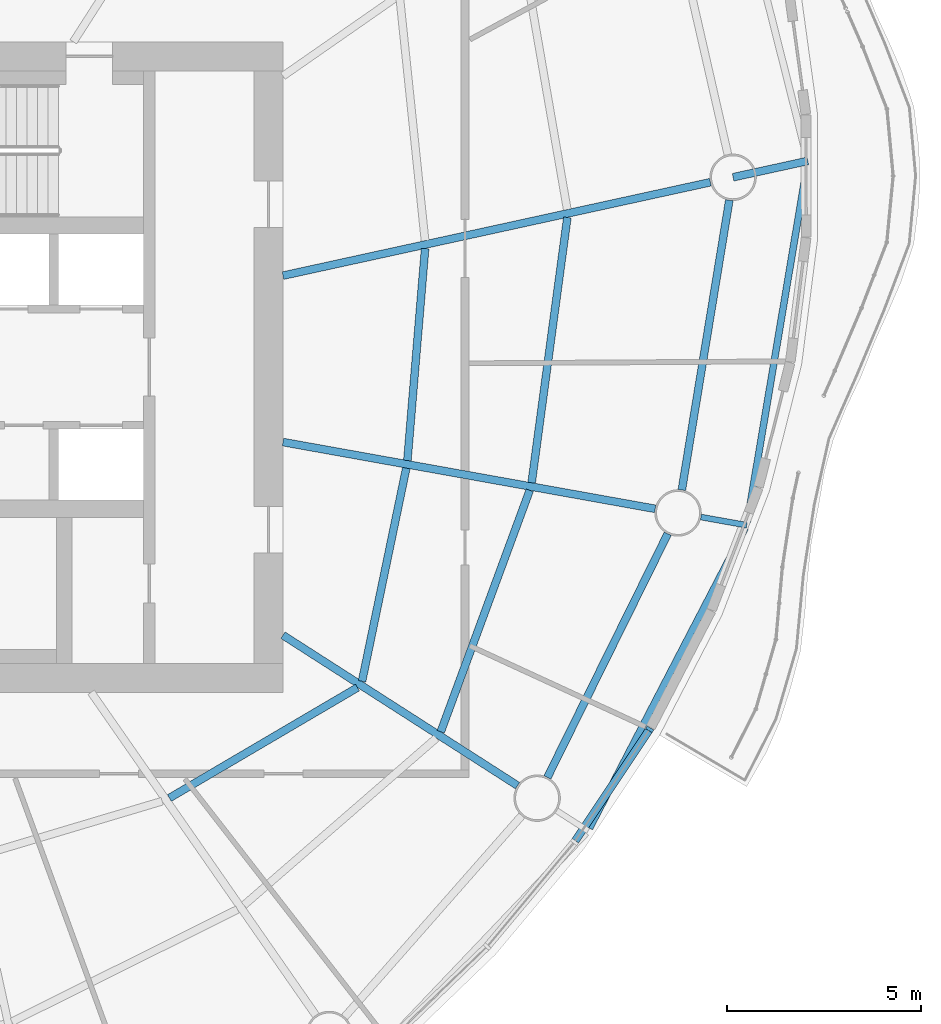
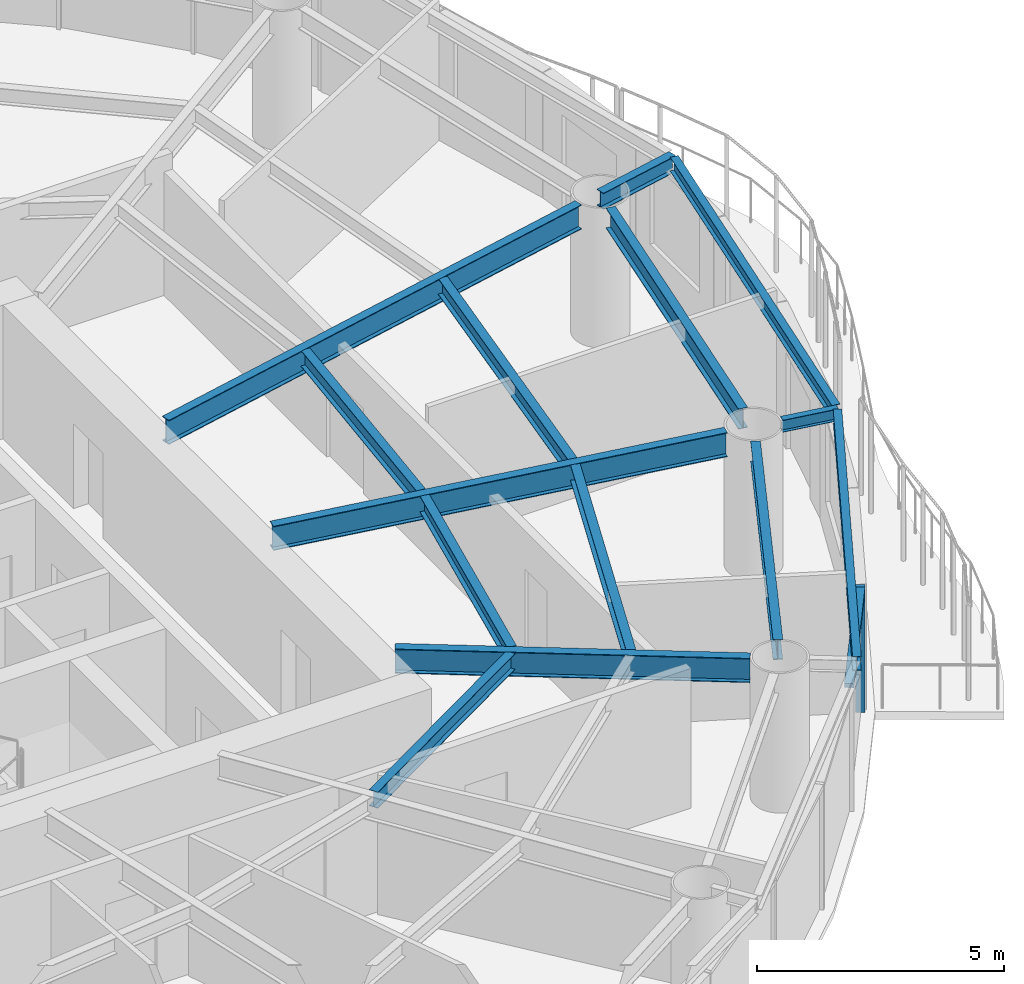
# One storey, part 4 of 15: 14 beams, 2 members, 1 element without a shape of its own.
"""IFC4 building model written with IfcOpenShell, lengths in metres."""

import ifcopenshell
import ifcopenshell.guid

model = None  # the IFC model being written
_history = None  # IfcOwnerHistory: only IFC2X3 demands one
_inside = {}  # id of a spatial element -> (the spatial element, [elements in it])
_under = {}  # id of a project, library or spatial element -> (it, [spatial elements below it])
_declared = {}  # id of a project -> (the project, [libraries it declares])
_typed = {}  # id of a type object -> (the type object, [elements of that type])
_made_of = {}  # id of a material, layer set ... -> (it, [elements and type objects made of it])


def new_model(schema):
    """Start an empty IFC model of exactly this schema.

    Asked for "IFC4X3", IfcOpenShell would pick the latest addendum, in which some entities
    have other attributes; the version numbers below select the first issue.
    IFC2X3 requires an IfcOwnerHistory on every rooted entity: one is made here for all.
    """
    global model, _history
    if schema == "IFC4X3":
        model = ifcopenshell.file(schema_version=(4, 3, 0, 0))
    else:
        model = ifcopenshell.file(schema=schema)
    _inside.clear()
    _under.clear()
    _declared.clear()
    _typed.clear()
    _made_of.clear()
    _history = None
    if model.schema == "IFC2X3":
        org = make("IfcOrganization", Name="unknown")
        user = make(
            "IfcPersonAndOrganization",
            ThePerson=make("IfcPerson", FamilyName="unknown"),
            TheOrganization=org,
        )
        app = make(
            "IfcApplication",
            ApplicationDeveloper=org,
            Version="unknown",
            ApplicationFullName="unknown",
            ApplicationIdentifier="unknown",
        )
        _history = make(
            "IfcOwnerHistory",
            OwningUser=user,
            OwningApplication=app,
            ChangeAction="ADDED",
            CreationDate=0,
        )
    return model


def make(cls, **values):
    """One entity of the class cls with the attributes given. An attribute that is None is left unset."""
    return model.create_entity(
        cls, **{name: value for name, value in values.items() if value is not None}
    )


def rooted(cls, **values):
    """An entity with a GlobalId (a new one), such as an element, a storey or a relation."""
    return make(cls, GlobalId=ifcopenshell.guid.new(), OwnerHistory=_history, **values)


def si_unit(unit_type, name, prefix=None):
    """IfcSIUnit, for example si_unit("LENGTHUNIT", "METRE", prefix="MILLI")."""
    return make("IfcSIUnit", UnitType=unit_type, Prefix=prefix, Name=name)


def assignment(units):
    """IfcUnitAssignment: the units of a project."""
    return None if units is None else make("IfcUnitAssignment", Units=units)


def point(xyz):
    """IfcCartesianPoint."""
    return None if xyz is None else make("IfcCartesianPoint", Coordinates=xyz)


def direction(xyz):
    """IfcDirection."""
    return None if xyz is None else make("IfcDirection", DirectionRatios=xyz)


def frame(location, z_axis=None, x_axis=None):
    """IfcAxis2Placement3D, a coordinate frame: its origin and axes. An axis left out is left unset."""
    return make(
        "IfcAxis2Placement3D",
        Location=point(location),
        Axis=direction(z_axis),
        RefDirection=direction(x_axis),
    )


def frame_2d(location, x_axis=None):
    """IfcAxis2Placement2D, a coordinate frame in the plane: its origin and x axis."""
    return make(
        "IfcAxis2Placement2D", Location=point(location), RefDirection=direction(x_axis)
    )


def origin():
    """The frame at (0, 0, 0) with its axes left unset."""
    return frame((0.0, 0.0, 0.0))


def origin_2d():
    """The frame at (0, 0) in the plane with its x axis left unset."""
    return frame_2d((0.0, 0.0))


def place(relative_to, where):
    """IfcLocalPlacement: puts the frame where relative to a parent placement (None: the world)."""
    return make(
        "IfcLocalPlacement", PlacementRelTo=relative_to, RelativePlacement=where
    )


def context(
    kind, dimensions, precision=None, world=None, true_north=None, identifier=None
):
    """IfcGeometricRepresentationContext, for example the 3D "Model" context."""
    return make(
        "IfcGeometricRepresentationContext",
        ContextIdentifier=identifier,
        ContextType=kind,
        CoordinateSpaceDimension=dimensions,
        Precision=precision,
        WorldCoordinateSystem=world,
        TrueNorth=true_north,
    )


def subcontext(parent, identifier, kind, view, scale=None):
    """IfcGeometricRepresentationSubContext, for example "Body" below "Model"."""
    return make(
        "IfcGeometricRepresentationSubContext",
        ContextIdentifier=identifier,
        ContextType=kind,
        ParentContext=parent,
        TargetScale=scale,
        TargetView=view,
    )


def project(units=None, contexts=None):
    """IfcProject with its units and contexts."""
    return rooted(
        "IfcProject",
        Name="project",
        RepresentationContexts=contexts,
        UnitsInContext=assignment(units),
    )


def spatial(cls, under=None, at=None, **own):
    """A site, building, storey or space (cls), placed at a placement, below another one or the project."""
    s = rooted(cls, ObjectPlacement=at, **own)
    if under is not None:
        _under.setdefault(under.id(), (under, []))[1].append(s)
    return s


def profile(cls, at=None, kind="AREA", **sizes):
    """A parametric profile (cls). Its sizes go by their IFC names, for example OverallWidth=200.0."""
    return make(cls, ProfileType=kind, Position=at, **sizes)


def rectangle(**sizes):
    """IfcRectangleProfileDef."""
    return profile("IfcRectangleProfileDef", **sizes)


def i_section(**sizes):
    """IfcIShapeProfileDef."""
    return profile("IfcIShapeProfileDef", **sizes)


def extrude(swept, where, along, depth):
    """IfcExtrudedAreaSolid: the profile swept, set in the frame where, extruded along a direction by depth."""
    return make(
        "IfcExtrudedAreaSolid",
        SweptArea=swept,
        Position=where,
        ExtrudedDirection=direction(along),
        Depth=depth,
    )


def shape(context_of_items, identifier, shape_type, items):
    """IfcShapeRepresentation: the items that make up one representation, for example the "Body"."""
    return make(
        "IfcShapeRepresentation",
        ContextOfItems=context_of_items,
        RepresentationIdentifier=identifier,
        RepresentationType=shape_type,
        Items=items,
    )


def material(Name=None, Category=None):
    """IfcMaterial."""
    return make("IfcMaterial", Name=Name, Category=Category)


def material_profile(
    of_material, cross_section, Name=None, Category=None, Priority=None
):
    """IfcMaterialProfile: a cross section and its material."""
    return make(
        "IfcMaterialProfile",
        Name=Name,
        Material=of_material,
        Profile=cross_section,
        Priority=Priority,
        Category=Category,
    )


def profile_set(profiles, Name=None, composite=None):
    """IfcMaterialProfileSet."""
    return make(
        "IfcMaterialProfileSet",
        Name=Name,
        MaterialProfiles=profiles,
        CompositeProfile=composite,
    )


def made_of(thing, what):
    """Note that an element or type object is made of a material, layer set ...; save() writes the relation."""
    if what is not None:
        _made_of.setdefault(what.id(), (what, []))[1].append(thing)
    return thing


def type_object(cls, material=None, **own):
    """A type object (cls), such as IfcWallType, which elements share."""
    return made_of(rooted(cls, **own), material)


def element(
    cls,
    number,
    at=None,
    inside=None,
    cuts=None,
    type_object=None,
    material=None,
    context=None,
    identifier="Body",
    shape_type=None,
    held_by="IfcProductDefinitionShape",
    body=None,
    shapes=None,
    **own,
):
    """One element of the class cls, such as IfcWall. Its Tag is "e" and its number.

    at: its placement. inside: the storey or other place that contains it. cuts: it is an
    opening in that element (IfcRelVoidsElement). A single representation is given by context,
    identifier, shape_type and body (its items); several are given by shapes. held_by: the class
    of the entity that holds the representations. save() writes the other relations.
    """
    e = rooted(cls, Tag="e%d" % number, ObjectPlacement=at, **own)
    if body is not None:
        shapes = [shape(context, identifier, shape_type, body)]
    if shapes is not None:
        e.Representation = make(held_by, Representations=shapes)
    if inside is not None:
        _inside.setdefault(inside.id(), (inside, []))[1].append(e)
    if cuts is not None:
        rooted(
            "IfcRelVoidsElement", RelatingBuildingElement=cuts, RelatedOpeningElement=e
        )
    if type_object is not None:
        _typed.setdefault(type_object.id(), (type_object, []))[1].append(e)
    return made_of(e, material)


def aggregate(whole, parts):
    """IfcRelAggregates: a whole, such as a stair, and the parts it consists of."""
    return rooted("IfcRelAggregates", RelatingObject=whole, RelatedObjects=parts)


def save(model, path):
    """Write the relations noted so far, then the file.

    IfcRelAggregates (storeys below a building ...), IfcRelContainedInSpatialStructure (elements
    in a storey), IfcRelDefinesByType, IfcRelAssociatesMaterial and IfcRelDeclares: one each for
    every whole, place, type object, material and project.
    """
    for whole, parts in _under.values():
        aggregate(whole, parts)
    for where, things in _inside.values():
        rooted(
            "IfcRelContainedInSpatialStructure",
            RelatedElements=things,
            RelatingStructure=where,
        )
    for kind, things in _typed.values():
        rooted("IfcRelDefinesByType", RelatedObjects=things, RelatingType=kind)
    for what, things in _made_of.values():
        rooted("IfcRelAssociatesMaterial", RelatedObjects=things, RelatingMaterial=what)
    for by, libraries in _declared.values():
        rooted("IfcRelDeclares", RelatingContext=by, RelatedDefinitions=libraries)
    model.write(path)


model = new_model("IFC4")

# Units and contexts
model_context = context("Model", 3, precision=1e-05, world=origin(), true_north=direction((0.0, 1.0)))
body_context = subcontext(model_context, "Body", "Model", "MODEL_VIEW")
ifc_project = project(units=[si_unit("LENGTHUNIT", "METRE"), si_unit("AREAUNIT", "SQUARE_METRE"), si_unit("VOLUMEUNIT", "CUBIC_METRE"), si_unit("PLANEANGLEUNIT", "RADIAN"), si_unit("MASSUNIT", "GRAM", prefix="KILO")], contexts=[model_context])

# Site, building, storey
site_placement = place(None, origin())
site = spatial("IfcSite", under=ifc_project, at=site_placement, CompositionType="ELEMENT")
building_placement = place(site_placement, origin())
building = spatial("IfcBuilding", under=site, at=building_placement, Name="Vermilion Reach Broadcast Tower", CompositionType="ELEMENT")
storey_placement = place(building_placement, frame((0.0, 0.0, 220.89990234375)))
storey = spatial("IfcBuildingStorey", under=building, at=storey_placement, Name="L54", CompositionType="ELEMENT", Elevation=220.89990234375)

# Beams
ifc_material_1 = material(Name="Steel S355J2", Category="steel")
ifc_material_profile_1 = material_profile(ifc_material_1, i_section(OverallWidth=0.175048828125, OverallDepth=0.35009765625, WebThickness=0.007080078125, FlangeThickness=0.010986328125, at=origin_2d()), Name="S355J2 HN 350x175x7x11")
ifc_profile_set_1 = profile_set([ifc_material_profile_1], Name="Steel S355J2")
beam_type_1 = type_object("IfcBeamType", Name="EB4 HN 350x175x7x11", PredefinedType="BEAM", material=ifc_profile_set_1)
beam_1_placement = place(storey_placement, frame((12.71533203125, -11.912109375, 3.275146484375), z_axis=(0.460485150678, 0.887667407313, 0.0), x_axis=(-0.887667407313, 0.460485150678, 0.0)))
element("IfcBeam", 1, at=beam_1_placement, inside=storey, type_object=beam_type_1, Name="Edge beam EB4-13", PredefinedType="BEAM", context=body_context, shape_type="SweptSolid", body=[
    extrude(i_section(OverallWidth=0.175048828125, OverallDepth=0.35009765625, WebThickness=0.007080078125, FlangeThickness=0.010986328125, at=origin_2d()), origin(), (0.0, 0.0, 1.0), 8.738525390625),
])
beam_2_placement = place(storey_placement, frame((16.787841796875, -4.01171875, 3.275146484375), z_axis=(0.165435437336, 0.986220622413, 0.0), x_axis=(-0.986220622413, 0.165435437336, 0.0)))
element("IfcBeam", 2, at=beam_2_placement, inside=storey, type_object=beam_type_1, Name="Edge beam EB4-14", PredefinedType="BEAM", context=body_context, shape_type="SweptSolid", body=[
    extrude(i_section(OverallWidth=0.175048828125, OverallDepth=0.35009765625, WebThickness=0.007080078125, FlangeThickness=0.010986328125, at=origin_2d()), origin(), (0.0, 0.0, 1.0), 9.357666015625),
])
ifc_material_2 = material(Name="Steel S355J2", Category="steel")
ifc_material_profile_2 = material_profile(ifc_material_2, i_section(OverallWidth=0.199951171875, OverallDepth=0.60009765625, WebThickness=0.010986328125, FlangeThickness=0.01708984375, at=origin_2d()), Name="S355J2 HN 600x200x11x17")
ifc_profile_set_2 = profile_set([ifc_material_profile_2], Name="Steel S355J2")
beam_type_2 = type_object("IfcBeamType", Name="G4 HN 600x200x11x17", PredefinedType="BEAM", material=ifc_profile_set_2)
beam_3_placement = place(storey_placement, frame((4.800048828125, -6.925537109375, 3.150146484375), z_axis=(0.841798504642, -0.539791883584, 0.0), x_axis=(0.539791883584, 0.841798504642, 0.0)))
element("IfcBeam", 3, at=beam_3_placement, inside=storey, type_object=beam_type_2, Name="Girder G4-13", PredefinedType="BEAM", context=body_context, shape_type="SweptSolid", body=[
    extrude(i_section(OverallWidth=0.199951171875, OverallDepth=0.60009765625, WebThickness=0.010986328125, FlangeThickness=0.01708984375, at=origin_2d()), origin(), (0.0, 0.0, 1.0), 7.1962890625),
])
beam_4_placement = place(storey_placement, frame((4.800048828125, -1.9375, 3.150146484375), z_axis=(0.984291153273, -0.176552897422, 0.0), x_axis=(0.176552897422, 0.984291153273, 0.0)))
element("IfcBeam", 4, at=beam_4_placement, inside=storey, type_object=beam_type_2, Name="Girder G4-14", PredefinedType="BEAM", context=body_context, shape_type="SweptSolid", body=[
    extrude(i_section(OverallWidth=0.199951171875, OverallDepth=0.60009765625, WebThickness=0.010986328125, FlangeThickness=0.01708984375, at=origin_2d()), origin(), (0.0, 0.0, 1.0), 9.765380859375),
])
beam_5_placement = place(storey_placement, frame((4.800048828125, 2.360595703125, 3.150146484375), z_axis=(0.976930175286, 0.213558967537, 0.0), x_axis=(-0.213558967537, 0.976930175286, 0.0)))
element("IfcBeam", 5, at=beam_5_placement, inside=storey, type_object=beam_type_2, Name="Girder G4-15", PredefinedType="BEAM", context=body_context, shape_type="SweptSolid", body=[
    extrude(i_section(OverallWidth=0.199951171875, OverallDepth=0.60009765625, WebThickness=0.010986328125, FlangeThickness=0.01708984375, at=origin_2d()), origin(), (0.0, 0.0, 1.0), 11.29833984375),
])
ifc_material_3 = material(Name="Steel S355J2", Category="steel")
ifc_material_profile_3 = material_profile(ifc_material_3, i_section(OverallWidth=0.199951171875, OverallDepth=0.39990234375, WebThickness=0.008056640625, FlangeThickness=0.012939453125, at=origin_2d()), Name="S355J2 HN 400x200x8x13")
ifc_profile_set_3 = profile_set([ifc_material_profile_3], Name="Steel S355J2")
beam_type_3 = type_object("IfcBeamType", Name="GC4 HN 400x200x8x13", PredefinedType="BEAM", material=ifc_profile_set_3)
beam_6_placement = place(storey_placement, frame((16.423828125, 4.9013671875, 3.25), z_axis=(0.976931449906, 0.213553136678, 0.0), x_axis=(-0.213553136678, 0.976931449906, 0.0)))
element("IfcBeam", 6, at=beam_6_placement, inside=storey, type_object=beam_type_3, Name="Cantilever girder GC4-15", PredefinedType="BEAM", context=body_context, shape_type="SweptSolid", body=[
    extrude(i_section(OverallWidth=0.199951171875, OverallDepth=0.39990234375, WebThickness=0.008056640625, FlangeThickness=0.012939453125, at=origin_2d()), origin(), (0.0, 0.0, 1.0), 1.9755859375),
])
ifc_material_4 = material(Name="Steel S355J2", Category="steel")
ifc_material_profile_4 = material_profile(ifc_material_4, i_section(OverallWidth=0.14990234375, OverallDepth=0.300048828125, WebThickness=0.006591796875, FlangeThickness=0.009033203125, at=origin_2d()), Name="S355J2 HN 300x150x6.5x9")
ifc_profile_set_4 = profile_set([ifc_material_profile_4], Name="Steel S355J2")
beam_type_4 = type_object("IfcBeamType", Name="GS4 HN 300x150x6.5x9", PredefinedType="BEAM", material=ifc_profile_set_4)
beam_7_placement = place(storey_placement, frame((15.59326171875, -3.87353515625, 3.300048828125), z_axis=(0.984280267253, -0.176613576759, 0.0), x_axis=(0.176613576759, 0.984280267253, 0.0)))
element("IfcBeam", 7, at=beam_7_placement, inside=storey, type_object=beam_type_4, Name="Cantilever stub GS4-14", PredefinedType="BEAM", context=body_context, shape_type="SweptSolid", body=[
    extrude(i_section(OverallWidth=0.14990234375, OverallDepth=0.300048828125, WebThickness=0.006591796875, FlangeThickness=0.009033203125, at=origin_2d()), origin(), (0.0, 0.0, 1.0), 1.201171875),
])
ifc_material_5 = material(Name="Steel S355J2", Category="steel")
ifc_material_profile_5 = material_profile(ifc_material_5, i_section(OverallWidth=0.199951171875, OverallDepth=0.5, WebThickness=0.010009765625, FlangeThickness=0.01611328125, at=origin_2d()), Name="S355J2 HN 500x200x10x16")
ifc_profile_set_5 = profile_set([ifc_material_profile_5], Name="Steel S355J2")
beam_type_5 = type_object("IfcBeamType", Name="RB4 HN 500x200x10x16", PredefinedType="BEAM", material=ifc_profile_set_5)
beam_8_placement = place(storey_placement, frame((11.628662109375, -10.595947265625, 3.2001953125), z_axis=(0.442977497199, 0.896532730566, 0.0), x_axis=(-0.896532730566, 0.442977497199, 0.0)))
element("IfcBeam", 8, at=beam_8_placement, inside=storey, type_object=beam_type_5, Name="Ring beam RB4-13", PredefinedType="BEAM", context=body_context, shape_type="SweptSolid", body=[
    extrude(i_section(OverallWidth=0.199951171875, OverallDepth=0.5, WebThickness=0.010009765625, FlangeThickness=0.01611328125, at=origin_2d()), origin(), (0.0, 0.0, 1.0), 7.0166015625),
])
beam_9_placement = place(storey_placement, frame((15.099609375, -3.175537109375, 3.2001953125), z_axis=(0.161778110263, 0.986827159659, 0.0), x_axis=(-0.986827159659, 0.161778110263, 0.0)))
element("IfcBeam", 9, at=beam_9_placement, inside=storey, type_object=beam_type_5, Name="Ring beam RB4-14", PredefinedType="BEAM", context=body_context, shape_type="SweptSolid", body=[
    extrude(i_section(OverallWidth=0.199951171875, OverallDepth=0.5, WebThickness=0.010009765625, FlangeThickness=0.01611328125, at=origin_2d()), origin(), (0.0, 0.0, 1.0), 7.584716796875),
])
ifc_material_6 = material(Name="Steel S355J2", Category="steel")
ifc_material_profile_6 = material_profile(ifc_material_6, i_section(OverallWidth=0.199951171875, OverallDepth=0.39990234375, WebThickness=0.008056640625, FlangeThickness=0.012939453125, at=origin_2d()), Name="S355J2 HN 400x200x8x13")
ifc_profile_set_6 = profile_set([ifc_material_profile_6], Name="Steel S355J2")
beam_type_6 = type_object("IfcBeamType", Name="SB4 HN 400x200x8x13", PredefinedType="BEAM", material=ifc_profile_set_6)
beam_10_placement = place(storey_placement, frame((1.866455078125, -11.130615234375, 3.25), z_axis=(0.862172572268, 0.506614701356, 0.0), x_axis=(-0.506614701356, 0.862172572268, 0.0)))
element("IfcBeam", 10, at=beam_10_placement, inside=storey, type_object=beam_type_6, Name="Secondary beam SB4-12-1", PredefinedType="BEAM", context=body_context, shape_type="SweptSolid", body=[
    extrude(i_section(OverallWidth=0.199951171875, OverallDepth=0.39990234375, WebThickness=0.008056640625, FlangeThickness=0.012939453125, at=origin_2d()), origin(), (0.0, 0.0, 1.0), 5.632568359375),
])
beam_11_placement = place(storey_placement, frame((6.841064453125, -8.115478515625, 3.25), z_axis=(0.20320860258, 0.979135467562, 0.0), x_axis=(-0.979135467562, 0.20320860258, 0.0)))
element("IfcBeam", 11, at=beam_11_placement, inside=storey, type_object=beam_type_6, Name="Secondary beam SB4-13-1", PredefinedType="BEAM", context=body_context, shape_type="SweptSolid", body=[
    extrude(i_section(OverallWidth=0.199951171875, OverallDepth=0.39990234375, WebThickness=0.008056640625, FlangeThickness=0.012939453125, at=origin_2d()), origin(), (0.0, 0.0, 1.0), 5.622802734375),
])
beam_12_placement = place(storey_placement, frame((8.8740234375, -9.419189453125, 3.25), z_axis=(0.345833008621, 0.938296078084, 0.0), x_axis=(-0.938296078084, 0.345833008621, 0.0)))
element("IfcBeam", 12, at=beam_12_placement, inside=storey, type_object=beam_type_6, Name="Secondary beam SB4-13-2", PredefinedType="BEAM", context=body_context, shape_type="SweptSolid", body=[
    extrude(i_section(OverallWidth=0.199951171875, OverallDepth=0.39990234375, WebThickness=0.008056640625, FlangeThickness=0.012939453125, at=origin_2d()), origin(), (0.0, 0.0, 1.0), 6.647216796875),
])
beam_13_placement = place(storey_placement, frame((8.012451171875, -2.412109375, 3.25), z_axis=(0.08339866655, 0.996516262997, 0.0), x_axis=(-0.996516262997, 0.08339866655, 0.0)))
element("IfcBeam", 13, at=beam_13_placement, inside=storey, type_object=beam_type_6, Name="Secondary beam SB4-14-1", PredefinedType="BEAM", context=body_context, shape_type="SweptSolid", body=[
    extrude(i_section(OverallWidth=0.199951171875, OverallDepth=0.39990234375, WebThickness=0.008056640625, FlangeThickness=0.012939453125, at=origin_2d()), origin(), (0.0, 0.0, 1.0), 5.49169921875),
])
beam_14_placement = place(storey_placement, frame((11.221435546875, -2.98779296875, 3.25), z_axis=(0.133486718782, 0.991050602093, 0.0), x_axis=(-0.991050602093, 0.133486718782, 0.0)))
element("IfcBeam", 14, at=beam_14_placement, inside=storey, type_object=beam_type_6, Name="Secondary beam SB4-14-2", PredefinedType="BEAM", context=body_context, shape_type="SweptSolid", body=[
    extrude(i_section(OverallWidth=0.199951171875, OverallDepth=0.39990234375, WebThickness=0.008056640625, FlangeThickness=0.012939453125, at=origin_2d()), origin(), (0.0, 0.0, 1.0), 6.913330078125),
])

# Curtain wall, members
ifc_material_7 = material(Name="Low-e laminated clear glass in aluminium frame", Category="aluminium")
curtain_wall_type = type_object("IfcCurtainWallType", Name="Slot curtain wall", PredefinedType="NOTDEFINED", material=ifc_material_7)
curtain_wall_placement = place(storey_placement, origin())
curtain_wall = element("IfcCurtainWall", 15, at=curtain_wall_placement, inside=storey, type_object=curtain_wall_type, Name="Slot curtain wall L54 37", PredefinedType="NOTDEFINED")
ifc_material_8 = material(Name="Anodised aluminium", Category="aluminium")
ifc_material_profile_7 = material_profile(ifc_material_8, rectangle(XDim=0.199951171875, YDim=0.080078125, at=origin_2d()), Name="Slot mullion 80 x 200")
ifc_profile_set_7 = profile_set([ifc_material_profile_7], Name="Anodised aluminium")
member_type_1 = type_object("IfcMemberType", Name="Slot mullion 80 x 200", PredefinedType="MULLION", material=ifc_profile_set_7)
member_1_placement = place(storey_placement, frame((14.268798828125, -9.355224609375, 0.0), z_axis=(0.0, 0.0, 1.0), x_axis=(-0.861106014794, 0.508425443193, 0.0)))
member_1 = element("IfcMember", 16, at=member_1_placement, type_object=member_type_1, Name="Slot mullion L54 38", PredefinedType="MULLION", context=body_context, shape_type="SweptSolid", body=[
    extrude(rectangle(XDim=0.199951171875, YDim=0.080078125, at=origin_2d()), origin(), (0.0, 0.0, 1.0), 3.10009765625),
])
ifc_material_9 = material(Name="Anodised aluminium", Category="aluminium")
ifc_material_profile_8 = material_profile(ifc_material_9, rectangle(XDim=0.199951171875, YDim=0.10009765625, at=origin_2d()), Name="Slot transom 200 x 100")
ifc_profile_set_8 = profile_set([ifc_material_profile_8], Name="Anodised aluminium")
member_type_2 = type_object("IfcMemberType", Name="Slot transom 200 x 100", PredefinedType="USERDEFINED", material=ifc_profile_set_8)
member_2_placement = place(storey_placement, frame((12.349853515625, -12.232421875, 3.050048828125), z_axis=(0.554848517658, 0.831951394285, 0.0), x_axis=(-0.831951394285, 0.554848517658, 0.0)))
member_2 = element("IfcMember", 17, at=member_2_placement, type_object=member_type_2, Name="Slot transom L54 37.1", ObjectType="TRANSOM", PredefinedType="USERDEFINED", context=body_context, shape_type="SweptSolid", body=[
    extrude(rectangle(XDim=0.199951171875, YDim=0.10009765625, at=origin_2d()), origin(), (0.0, 0.0, 1.0), 3.41845703125),
])
aggregate(curtain_wall, [member_1, member_2])

save(model, "model.ifc")
